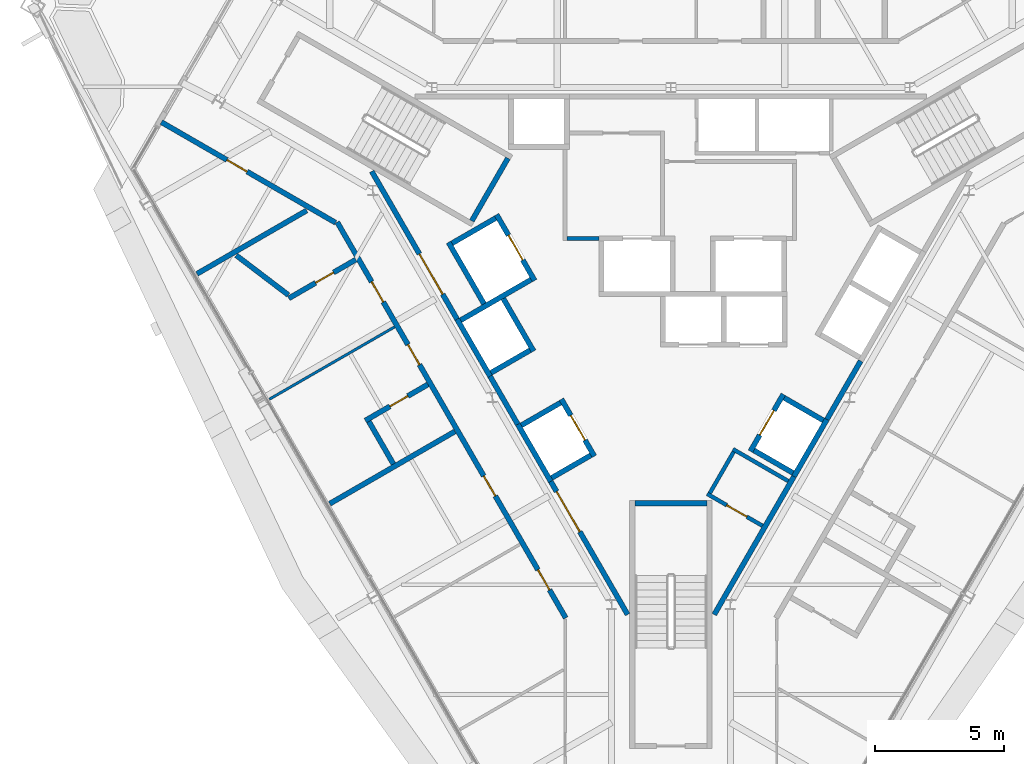
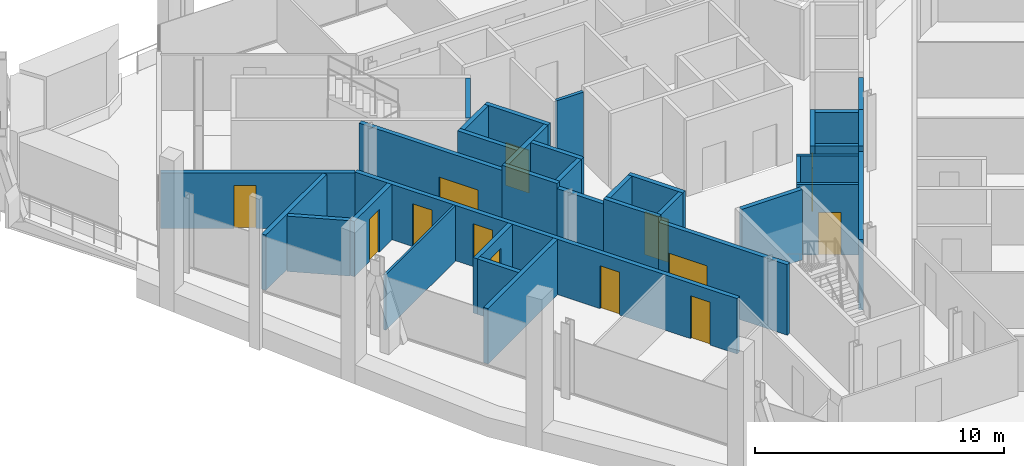
# One storey, part 9 of 14: 35 walls, 13 doors, 13 openings.
"""IFC4 building model written with IfcOpenShell, lengths in metres."""

from ifc_helpers import new_model, si_unit, direction, frame, frame_2d, origin, place, context, subcontext, project, spatial, rectangle, extrude, material, layer, layer_set, type_object, element, fill, save


model = new_model("IFC4")

# Units and contexts
model_context = context("Model", 3, precision=1e-05, world=origin(), true_north=direction((0.0, 1.0)))
body_context = subcontext(model_context, "Body", "Model", "MODEL_VIEW")
ifc_project = project(units=[si_unit("LENGTHUNIT", "METRE"), si_unit("AREAUNIT", "SQUARE_METRE"), si_unit("VOLUMEUNIT", "CUBIC_METRE"), si_unit("PLANEANGLEUNIT", "RADIAN"), si_unit("MASSUNIT", "GRAM", prefix="KILO")], contexts=[model_context])

# Site, building, storey
site_placement = place(None, origin())
site = spatial("IfcSite", under=ifc_project, at=site_placement, CompositionType="ELEMENT")
building_placement = place(site_placement, origin())
building = spatial("IfcBuilding", under=site, at=building_placement, Name="Verrane Prism Tower", CompositionType="ELEMENT")
storey_placement = place(building_placement, frame((0.0, 0.0, 228.60009765625)))
storey = spatial("IfcBuildingStorey", under=building, at=storey_placement, Name="L57", CompositionType="ELEMENT", Elevation=228.60009765625)

# Wall, opening, door
ifc_material_1 = material(Name="Gypsum board partition", Category="other")
ifc_layer_1 = layer(ifc_material_1, 0.199951171875)
ifc_layer_set_1 = layer_set([ifc_layer_1], Name="CW-200 core boundary wall 2 h")
wall_type_1 = type_object("IfcWallType", Name="CW-200 core boundary wall 2 h", PredefinedType="PARTITIONING", material=ifc_layer_set_1)
wall_1_placement = place(storey_placement, frame((-11.590576171875, 4.7548828125, 0.0), z_axis=(0.0, 0.0, 1.0), x_axis=(0.500043977787, -0.866000011708, 0.0)))
wall_1 = element("IfcWall", 1, at=wall_1_placement, inside=storey, type_object=wall_type_1, Name="Core boundary wall CW3-001", PredefinedType="PARTITIONING", context=body_context, shape_type="SweptSolid", body=[
    extrude(rectangle(XDim=6.61669921875, YDim=0.199951171875, at=frame_2d((3.308349609375, 0.0))), origin(), (0.0, 0.0, 1.0), 3.449951171875),
])
opening_1_placement = place(wall_1_placement, frame((3.695068359375, 0.0, 0.0)))
opening_1 = element("IfcOpeningElement", 2, at=opening_1_placement, cuts=wall_1, Name="Opening D57510", PredefinedType="OPENING", context=body_context, shape_type="SweptSolid", body=[
    extrude(rectangle(XDim=1.800048828125, YDim=2.10009765625, at=frame_2d((0.89990234375, 1.050048828125))), frame((0.0, 0.10986328125, 0.0), z_axis=(0.0, -1.0, 0.0), x_axis=(1.0, 0.0, 0.0)), (0.0, 0.0, 1.0), 0.219970703125),
])
ifc_material_2 = material(Name="Timber veneered door leaf", Category="wood")
door_type_1 = type_object("IfcDoorType", Name="DR-1800x2100 FD60 double leaf lift lobby", OperationType="NOTDEFINED", PredefinedType="DOOR", material=ifc_material_2)
door_1_placement = place(opening_1_placement, origin())
door_1 = element("IfcDoor", 3, at=door_1_placement, inside=storey, type_object=door_type_1, Name="Lift lobby door D57510", OperationType="DOUBLE_DOOR_SINGLE_SWING", OverallHeight=2.10009765625, OverallWidth=1.800048828125, PredefinedType="DOOR", context=body_context, shape_type="SweptSolid", body=[
    extrude(rectangle(XDim=1.800048828125, YDim=2.10009765625, at=frame_2d((0.89990234375, 1.050048828125))), frame((0.0, 0.02490234375, 0.0), z_axis=(0.0, -1.0, 0.0), x_axis=(1.0, 0.0, 0.0)), (0.0, 0.0, 1.0), 0.050048828125),
])
fill(opening_1, door_1)

# Wall
wall_2_placement = place(storey_placement, frame((-7.0048828125, -3.18701171875, 0.0), z_axis=(0.0, 0.0, 1.0), x_axis=(0.499689606989, -0.866204535123, 0.0)))
element("IfcWall", 4, at=wall_2_placement, inside=storey, type_object=wall_type_1, Name="Core boundary wall CW3-003", PredefinedType="PARTITIONING", context=body_context, shape_type="SweptSolid", body=[
    extrude(rectangle(XDim=2.144775390625, YDim=0.199951171875, at=frame_2d((1.072265625, 0.0))), origin(), (0.0, 0.0, 1.0), 3.449951171875),
])

# Wall, opening, door
wall_3_placement = place(storey_placement, frame((-4.655029296875, -7.257080078125, 0.0), z_axis=(0.0, 0.0, 1.0), x_axis=(0.499966124405, -0.866044960985, 0.0)))
wall_3 = element("IfcWall", 5, at=wall_3_placement, inside=storey, type_object=wall_type_1, Name="Core boundary wall CW3-004", PredefinedType="PARTITIONING", context=body_context, shape_type="SweptSolid", body=[
    extrude(rectangle(XDim=5.95556640625, YDim=0.199951171875, at=frame_2d((2.977783203125, 0.0))), origin(), (0.0, 0.0, 1.0), 3.449951171875),
])
opening_2_placement = place(wall_3_placement, frame((0.449951171875, 0.0, 0.0)))
opening_2 = element("IfcOpeningElement", 6, at=opening_2_placement, cuts=wall_3, Name="Opening D57511", PredefinedType="OPENING", context=body_context, shape_type="SweptSolid", body=[
    extrude(rectangle(XDim=1.800048828125, YDim=2.10009765625, at=frame_2d((0.89990234375, 1.050048828125))), frame((0.0, 0.10986328125, 0.0), z_axis=(0.0, -1.0, 0.0), x_axis=(1.0, 0.0, 0.0)), (0.0, 0.0, 1.0), 0.219970703125),
])
door_2_placement = place(opening_2_placement, origin())
door_2 = element("IfcDoor", 7, at=door_2_placement, inside=storey, type_object=door_type_1, Name="Lift lobby door D57511", OperationType="DOUBLE_DOOR_SINGLE_SWING", OverallHeight=2.10009765625, OverallWidth=1.800048828125, PredefinedType="DOOR", context=body_context, shape_type="SweptSolid", body=[
    extrude(rectangle(XDim=1.800048828125, YDim=2.10009765625, at=frame_2d((0.89990234375, 1.050048828125))), frame((0.0, 0.02490234375, 0.0), z_axis=(0.0, -1.0, 0.0), x_axis=(1.0, 0.0, 0.0)), (0.0, 0.0, 1.0), 0.050048828125),
])
fill(opening_2, door_2)

# Walls
wall_4_placement = place(storey_placement, frame((1.677490234375, -12.414794921875, 0.0), z_axis=(0.0, 0.0, 1.0), x_axis=(0.500054337157, 0.865994029939, 0.0)))
element("IfcWall", 8, at=wall_4_placement, inside=storey, type_object=wall_type_1, Name="Core boundary wall CW3-006", PredefinedType="PARTITIONING", context=body_context, shape_type="SweptSolid", body=[
    extrude(rectangle(XDim=6.176513671875, YDim=0.199951171875, at=frame_2d((3.08837890625, 0.0))), origin(), (0.0, 0.0, 1.0), 3.449951171875),
])
wall_5_placement = place(storey_placement, frame((6.0419921875, -4.85498046875, 0.0), z_axis=(0.0, 0.0, 1.0), x_axis=(0.500252727967, 0.865879442048, 0.0)))
element("IfcWall", 9, at=wall_5_placement, inside=storey, type_object=wall_type_1, Name="Core boundary wall CW3-007", PredefinedType="PARTITIONING", context=body_context, shape_type="SweptSolid", body=[
    extrude(rectangle(XDim=2.616943359375, YDim=0.199951171875, at=frame_2d((1.30859375, 0.0))), origin(), (0.0, 0.0, 1.0), 3.449951171875),
])
ifc_material_3 = material(Name="Concrete C40/50", Category="concrete")
ifc_layer_2 = layer(ifc_material_3, 0.199951171875)
ifc_layer_set_2 = layer_set([ifc_layer_2], Name="CW-200 stair core wall concrete C40/50 3 h")
wall_type_2 = type_object("IfcWallType", Name="CW-200 stair core wall concrete C40/50 3 h", PredefinedType="PARTITIONING", material=ifc_layer_set_2)
wall_6_placement = place(storey_placement, frame((-6.314697265625, 5.262451171875, 0.0), z_axis=(0.0, 0.0, 1.0), x_axis=(-0.500049511043, -0.865996816683, 0.0)))
element("IfcWall", 10, at=wall_6_placement, inside=storey, type_object=wall_type_2, Name="Stair 2 enclosure wall", PredefinedType="PARTITIONING", context=body_context, shape_type="SweptSolid", body=[
    extrude(rectangle(XDim=2.800048828125, YDim=0.199951171875, at=frame_2d((1.39990234375, 0.0))), origin(), (0.0, 0.0, 1.0), 3.449951171875),
])
wall_7_placement = place(storey_placement, frame((-1.39990234375, -8.10009765625, 0.0), z_axis=(0.0, 0.0, 1.0), x_axis=(1.0, 0.0, 0.0)))
element("IfcWall", 11, at=wall_7_placement, inside=storey, type_object=wall_type_2, Name="Stair 3 enclosure wall", PredefinedType="PARTITIONING", context=body_context, shape_type="SweptSolid", body=[
    extrude(rectangle(XDim=2.7998046875, YDim=0.199951171875, at=frame_2d((1.39990234375, 0.0))), origin(), (0.0, 0.0, 1.0), 3.449951171875),
])
ifc_material_4 = material(Name="Gypsum board shaft wall assembly", Category="other")
ifc_layer_3 = layer(ifc_material_4, 0.199951171875)
ifc_layer_set_3 = layer_set([ifc_layer_3], Name="HW-200 lift shaft wall 2 h")
wall_type_3 = type_object("IfcWallType", Name="HW-200 lift shaft wall 2 h", PredefinedType="PARTITIONING", material=ifc_layer_set_3)
for number, where, z_axis, x_axis, name in (
    (12, (-4.61962890625, -7.118408203125, 0.0), (0.0, 0.0, 1.0), (0.866036909293, 0.499980071345, 0.0), "Lift shaft wall"),
    (13, (-5.794677734375, -5.083251953125, 0.0), (0.0, 0.0, 1.0), (0.866036909293, 0.499980071345, 0.0), "Lift shaft wall"),
    (14, (-6.9697265625, -3.048095703125, 0.0), (0.0, 0.0, 1.0), (0.866036909293, 0.499980071345, 0.0), "Lift shaft wall"),
):
    element("IfcWall", number, at=place(storey_placement, frame(where, z_axis=z_axis, x_axis=x_axis)), inside=storey, type_object=wall_type_3, Name=name, PredefinedType="PARTITIONING", context=body_context, shape_type="SweptSolid", body=[
        extrude(rectangle(XDim=1.75, YDim=0.199951171875, at=frame_2d((0.875, 0.0))), origin(), (0.0, 0.0, 1.0), 3.699951171875),
    ])
wall_8_placement = place(storey_placement, frame((-8.14453125, -1.012939453125, 0.0), z_axis=(0.0, 0.0, 1.0), x_axis=(0.866016494683, 0.500015430699, 0.0)))
element("IfcWall", 15, at=wall_8_placement, inside=storey, type_object=wall_type_3, Name="Lift shaft wall", PredefinedType="PARTITIONING", context=body_context, shape_type="SweptSolid", body=[
    extrude(rectangle(XDim=3.14990234375, YDim=0.199951171875, at=frame_2d((1.574951171875, 0.0))), origin(), (0.0, 0.0, 1.0), 3.699951171875),
])
wall_9_placement = place(storey_placement, frame((-8.48046875, 1.968505859375, 0.0), z_axis=(0.0, 0.0, 1.0), x_axis=(0.866000020948, 0.500043961785, 0.0)))
element("IfcWall", 16, at=wall_9_placement, inside=storey, type_object=wall_type_3, Name="Lift shaft wall", PredefinedType="PARTITIONING", context=body_context, shape_type="SweptSolid", body=[
    extrude(rectangle(XDim=1.949951171875, YDim=0.199951171875, at=frame_2d((0.97509765625, 0.0))), origin(), (0.0, 0.0, 1.0), 3.699951171875),
])
wall_10_placement = place(storey_placement, frame((4.766357421875, -7.064697265625, 0.0), z_axis=(0.0, 0.0, 1.0), x_axis=(0.499948979701, 0.866054858364, 0.0)))
element("IfcWall", 17, at=wall_10_placement, inside=storey, type_object=wall_type_3, Name="Lift shaft wall", PredefinedType="PARTITIONING", context=body_context, shape_type="SweptSolid", body=[
    extrude(rectangle(XDim=2.550048828125, YDim=0.199951171875, at=frame_2d((1.27490234375, 0.0))), origin(), (0.0, 0.0, 1.0), 3.699951171875),
])

# Wall, opening, door
wall_11_placement = place(storey_placement, frame((3.077392578125, -6.089599609375, 0.0), z_axis=(0.0, 0.0, 1.0), x_axis=(0.500062241894, 0.865989465428, 0.0)))
wall_11 = element("IfcWall", 18, at=wall_11_placement, inside=storey, type_object=wall_type_3, Name="Lift shaft wall", PredefinedType="PARTITIONING", context=body_context, shape_type="SweptSolid", body=[
    extrude(rectangle(XDim=2.550048828125, YDim=0.199951171875, at=frame_2d((1.27490234375, 0.0))), origin(), (0.0, 0.0, 1.0), 3.699951171875),
])
opening_3_placement = place(wall_11_placement, frame((0.72509765625, 0.0, 0.0)))
opening_3 = element("IfcOpeningElement", 19, at=opening_3_placement, cuts=wall_11, Name="Opening D57505", PredefinedType="OPENING", context=body_context, shape_type="SweptSolid", body=[
    extrude(rectangle(XDim=1.10009765625, YDim=2.10009765625, at=frame_2d((0.550048828125, 1.050048828125))), frame((0.0, 0.10986328125, 0.0), z_axis=(0.0, -1.0, 0.0), x_axis=(1.0, 0.0, 0.0)), (0.0, 0.0, 1.0), 0.219970703125),
])
ifc_material_5 = material(Name="Stainless steel sliding landing door", Category="steel")
door_type_2 = type_object("IfcDoorType", Name="LD-1100x2100 lift landing door FD90 sliding", OperationType="NOTDEFINED", PredefinedType="DOOR", material=ifc_material_5)
door_3_placement = place(opening_3_placement, origin())
door_3 = element("IfcDoor", 20, at=door_3_placement, inside=storey, type_object=door_type_2, Name="Bank B lift 3 landing door", OperationType="SLIDING_TO_LEFT", OverallHeight=2.10009765625, OverallWidth=1.10009765625, PredefinedType="DOOR", context=body_context, shape_type="SweptSolid", body=[
    extrude(rectangle(XDim=1.10009765625, YDim=2.10009765625, at=frame_2d((0.550048828125, 1.050048828125))), frame((0.0, 0.02490234375, 0.0), z_axis=(0.0, -1.0, 0.0), x_axis=(1.0, 0.0, 0.0)), (0.0, 0.0, 1.0), 0.050048828125),
])
fill(opening_3, door_3)

wall_12_placement = place(storey_placement, frame((-5.280029296875, 0.525390625, 0.0), z_axis=(0.0, 0.0, 1.0), x_axis=(-0.500037662692, 0.866003658127, 0.0)))
wall_12 = element("IfcWall", 21, at=wall_12_placement, inside=storey, type_object=wall_type_3, Name="Lift shaft wall", PredefinedType="PARTITIONING", context=body_context, shape_type="SweptSolid", body=[
    extrude(rectangle(XDim=2.949951171875, YDim=0.199951171875, at=frame_2d((1.47509765625, 0.0))), origin(), (0.0, 0.0, 1.0), 3.699951171875),
])
opening_4_placement = place(wall_12_placement, frame((0.925048828125, 0.0, 0.0)))
opening_4 = element("IfcOpeningElement", 22, at=opening_4_placement, cuts=wall_12, Name="Opening D57509", PredefinedType="OPENING", context=body_context, shape_type="SweptSolid", body=[
    extrude(rectangle(XDim=1.10009765625, YDim=2.10009765625, at=frame_2d((0.550048828125, 1.050048828125))), frame((0.0, 0.10986328125, 0.0), z_axis=(0.0, -1.0, 0.0), x_axis=(1.0, 0.0, 0.0)), (0.0, 0.0, 1.0), 0.219970703125),
])
door_4_placement = place(opening_4_placement, origin())
door_4 = element("IfcDoor", 23, at=door_4_placement, inside=storey, type_object=door_type_2, Name="Service lift 1 landing door", OperationType="SLIDING_TO_LEFT", OverallHeight=2.10009765625, OverallWidth=1.10009765625, PredefinedType="DOOR", context=body_context, shape_type="SweptSolid", body=[
    extrude(rectangle(XDim=1.10009765625, YDim=2.10009765625, at=frame_2d((0.550048828125, 1.050048828125))), frame((0.0, 0.02490234375, 0.0), z_axis=(0.0, -1.0, 0.0), x_axis=(1.0, 0.0, 0.0)), (0.0, 0.0, 1.0), 0.050048828125),
])
fill(opening_4, door_4)

wall_13_placement = place(storey_placement, frame((-2.967529296875, -6.280029296875, 0.0), z_axis=(0.0, 0.0, 1.0), x_axis=(-0.499990435942, 0.866030925526, 0.0)))
wall_13 = element("IfcWall", 24, at=wall_13_placement, inside=storey, type_object=wall_type_3, Name="Lift shaft wall", PredefinedType="PARTITIONING", context=body_context, shape_type="SweptSolid", body=[
    extrude(rectangle(XDim=2.5498046875, YDim=0.199951171875, at=frame_2d((1.27490234375, 0.0))), origin(), (0.0, 0.0, 1.0), 3.699951171875),
])
opening_5_placement = place(wall_13_placement, frame((0.72509765625, 0.0, 0.0)))
opening_5 = element("IfcOpeningElement", 25, at=opening_5_placement, cuts=wall_13, Name="Opening D57506", PredefinedType="OPENING", context=body_context, shape_type="SweptSolid", body=[
    extrude(rectangle(XDim=1.10009765625, YDim=2.10009765625, at=frame_2d((0.550048828125, 1.050048828125))), frame((0.0, 0.10986328125, 0.0), z_axis=(0.0, -1.0, 0.0), x_axis=(1.0, 0.0, 0.0)), (0.0, 0.0, 1.0), 0.219970703125),
])
door_5_placement = place(opening_5_placement, origin())
door_5 = element("IfcDoor", 26, at=door_5_placement, inside=storey, type_object=door_type_2, Name="Bank B lift 4 landing door", OperationType="SLIDING_TO_RIGHT", OverallHeight=2.10009765625, OverallWidth=1.10009765625, PredefinedType="DOOR", context=body_context, shape_type="SweptSolid", body=[
    extrude(rectangle(XDim=1.10009765625, YDim=2.10009765625, at=frame_2d((0.550048828125, 1.050048828125))), frame((0.0, 0.02490234375, 0.0), z_axis=(0.0, -1.0, 0.0), x_axis=(1.0, 0.0, 0.0)), (0.0, 0.0, 1.0), 0.050048828125),
])
fill(opening_5, door_5)

# Walls
wall_14_placement = place(storey_placement, frame((-5.317626953125, -2.209716796875, 0.0), z_axis=(0.0, 0.0, 1.0), x_axis=(-0.499938297808, 0.866061024631, 0.0)))
element("IfcWall", 27, at=wall_14_placement, inside=storey, type_object=wall_type_3, Name="Lift shaft wall", PredefinedType="PARTITIONING", context=body_context, shape_type="SweptSolid", body=[
    extrude(rectangle(XDim=2.349853515625, YDim=0.199951171875, at=frame_2d((1.1748046875, 0.0))), origin(), (0.0, 0.0, 1.0), 3.699951171875),
])
wall_15_placement = place(storey_placement, frame((-7.241943359375, -0.37646484375, 0.0), z_axis=(0.0, 0.0, 1.0), x_axis=(-0.499996545922, 0.866027397988, 0.0)))
element("IfcWall", 28, at=wall_15_placement, inside=storey, type_object=wall_type_3, Name="Lift shaft wall", PredefinedType="PARTITIONING", context=body_context, shape_type="SweptSolid", body=[
    extrude(rectangle(XDim=2.75, YDim=0.199951171875, at=frame_2d((1.375, 0.0))), origin(), (0.0, 0.0, 1.0), 3.699951171875),
])
for number, where, z_axis, x_axis, name in (
    (29, (-4.65625, -7.255126953125, 0.0), (0.0, 0.0, 1.0), (-0.499990435942, 0.866030925526, 0.0), "Lift shaft wall"),
    (30, (-7.00634765625, -3.184814453125, 0.0), (0.0, 0.0, 1.0), (-0.499990435942, 0.866030925526, 0.0), "Lift shaft wall"),
):
    element("IfcWall", number, at=place(storey_placement, frame(where, z_axis=z_axis, x_axis=x_axis)), inside=storey, type_object=wall_type_3, Name=name, PredefinedType="PARTITIONING", context=body_context, shape_type="SweptSolid", body=[
        extrude(rectangle(XDim=2.5498046875, YDim=0.199951171875, at=frame_2d((1.27490234375, 0.0))), origin(), (0.0, 0.0, 1.0), 3.699951171875),
    ])
wall_16_placement = place(storey_placement, frame((5.904541015625, -4.892822265625, 0.0), z_axis=(0.0, 0.0, 1.0), x_axis=(-0.866002029911, 0.500040482552, 0.0)))
element("IfcWall", 31, at=wall_16_placement, inside=storey, type_object=wall_type_3, Name="Lift shaft wall", PredefinedType="PARTITIONING", context=body_context, shape_type="SweptSolid", body=[
    extrude(rectangle(XDim=1.749755859375, YDim=0.199951171875, at=frame_2d((0.875, 0.0))), origin(), (0.0, 0.0, 1.0), 3.699951171875),
])
wall_17_placement = place(storey_placement, frame((4.729736328125, -6.927978515625, 0.0), z_axis=(0.0, 0.0, 1.0), x_axis=(-0.866036909293, 0.499980071345, 0.0)))
element("IfcWall", 32, at=wall_17_placement, inside=storey, type_object=wall_type_3, Name="Lift shaft wall", PredefinedType="PARTITIONING", context=body_context, shape_type="SweptSolid", body=[
    extrude(rectangle(XDim=1.75, YDim=0.199951171875, at=frame_2d((0.875, 0.0))), origin(), (0.0, 0.0, 1.0), 3.699951171875),
])
ifc_material_6 = material(Name="Gypsum board partition", Category="other")
ifc_layer_4 = layer(ifc_material_6, 0.14990234375)
ifc_layer_set_4 = layer_set([ifc_layer_4], Name="LF-150 firefighting lobby wall 1 h")
wall_type_4 = type_object("IfcWallType", Name="LF-150 firefighting lobby wall 1 h", PredefinedType="PARTITIONING", material=ifc_layer_set_4)
wall_18_placement = place(storey_placement, frame((-4.02490234375, 2.159912109375, 0.0), z_axis=(0.0, 0.0, 1.0), x_axis=(1.0, 0.0, 0.0)))
element("IfcWall", 33, at=wall_18_placement, inside=storey, type_object=wall_type_4, Name="Firefighting lobby wall LF1-002", PredefinedType="PARTITIONING", context=body_context, shape_type="SweptSolid", body=[
    extrude(rectangle(XDim=1.23779296875, YDim=0.14990234375, at=frame_2d((0.618896484375, 0.0))), origin(), (0.0, 0.0, 1.0), 3.449951171875),
])
ifc_material_7 = material(Name="Gypsum board partition", Category="other")
ifc_layer_5 = layer(ifc_material_7, 0.10009765625)
ifc_layer_set_5 = layer_set([ifc_layer_5], Name="PW-100 room partition")
wall_type_5 = type_object("IfcWallType", Name="PW-100 room partition", PredefinedType="PARTITIONING", material=ifc_layer_set_5)
wall_19_placement = place(storey_placement, frame((-15.5546875, -4.07080078125, 0.0), z_axis=(0.0, 0.0, 1.0), x_axis=(0.866083225238, 0.499899836928, 0.0)))
element("IfcWall", 34, at=wall_19_placement, inside=storey, type_object=wall_type_5, Name="Room partition 005", PredefinedType="PARTITIONING", context=body_context, shape_type="SweptSolid", body=[
    extrude(rectangle(XDim=5.599853515625, YDim=0.10009765625, at=frame_2d((2.7998046875, 0.0))), origin(), (0.0, 0.0, 1.0), 2.712890625),
])

# Wall, opening, door
ifc_material_8 = material(Name="Gypsum board partition", Category="other")
ifc_layer_6 = layer(ifc_material_8, 0.199951171875)
ifc_layer_set_6 = layer_set([ifc_layer_6], Name="PW-200 plumbing wall")
wall_type_6 = type_object("IfcWallType", Name="PW-200 plumbing wall", PredefinedType="PARTITIONING", material=ifc_layer_set_6)
wall_20_placement = place(storey_placement, frame((-12.994873046875, 2.76953125, 0.0), z_axis=(0.0, 0.0, 1.0), x_axis=(-0.866060835767, 0.499938624983, 0.0)))
wall_20 = element("IfcWall", 35, at=wall_20_placement, inside=storey, type_object=wall_type_6, Name="Plumbing wall 001", PredefinedType="PARTITIONING", context=body_context, shape_type="SweptSolid", body=[
    extrude(rectangle(XDim=7.78857421875, YDim=0.199951171875, at=frame_2d((3.894287109375, 0.0))), origin(), (0.0, 0.0, 1.0), 2.712890625),
])
opening_6_placement = place(wall_20_placement, frame((3.953857421875, 0.0, 0.0)))
opening_6 = element("IfcOpeningElement", 36, at=opening_6_placement, cuts=wall_20, Name="Opening D57010", PredefinedType="OPENING", context=body_context, shape_type="SweptSolid", body=[
    extrude(rectangle(XDim=0.89990234375, YDim=2.10009765625, at=frame_2d((0.449951171875, 1.050048828125))), frame((0.0, 0.10986328125, 0.0), z_axis=(0.0, -1.0, 0.0), x_axis=(1.0, 0.0, 0.0)), (0.0, 0.0, 1.0), 0.219970703125),
])
ifc_material_9 = material(Name="Timber veneered door leaf", Category="wood")
door_type_3 = type_object("IfcDoorType", Name="DR-900x2100 single leaf unit", OperationType="NOTDEFINED", PredefinedType="DOOR", material=ifc_material_9)
door_6_placement = place(opening_6_placement, origin())
door_6 = element("IfcDoor", 37, at=door_6_placement, inside=storey, type_object=door_type_3, Name="Kitchen door", OperationType="SINGLE_SWING_LEFT", OverallHeight=2.10009765625, OverallWidth=0.89990234375, PredefinedType="DOOR", context=body_context, shape_type="SweptSolid", body=[
    extrude(rectangle(XDim=0.89990234375, YDim=2.10009765625, at=frame_2d((0.449951171875, 1.050048828125))), frame((0.0, 0.02490234375, 0.0), z_axis=(0.0, -1.0, 0.0), x_axis=(1.0, 0.0, 0.0)), (0.0, 0.0, 1.0), 0.050048828125),
])
fill(opening_6, door_6)

# Walls
wall_21_placement = place(storey_placement, frame((-18.359130859375, 0.78662109375, 0.0), z_axis=(0.0, 0.0, 1.0), x_axis=(0.86596515875, 0.500104332946, 0.0)))
element("IfcWall", 38, at=wall_21_placement, inside=storey, type_object=wall_type_6, Name="Plumbing wall 002", PredefinedType="PARTITIONING", context=body_context, shape_type="SweptSolid", body=[
    extrude(rectangle(XDim=4.90673828125, YDim=0.199951171875, at=frame_2d((2.453369140625, 0.0))), origin(), (0.0, 0.0, 1.0), 2.712890625),
])
wall_22_placement = place(storey_placement, frame((-16.84033203125, 1.5029296875, 0.0), z_axis=(0.0, 0.0, 1.0), x_axis=(0.79576722268, -0.605602615012, 0.0)))
element("IfcWall", 39, at=wall_22_placement, inside=storey, type_object=wall_type_6, Name="Plumbing wall 003", PredefinedType="PARTITIONING", context=body_context, shape_type="SweptSolid", body=[
    extrude(rectangle(XDim=2.5380859375, YDim=0.199951171875, at=frame_2d((1.26904296875, 0.0))), origin(), (0.0, 0.0, 1.0), 2.712890625),
])

# Wall, opening, door
wall_23_placement = place(storey_placement, frame((-14.8037109375, -0.1630859375, 0.0), z_axis=(0.0, 0.0, 1.0), x_axis=(0.866031096941, 0.499990139034, 0.0)))
wall_23 = element("IfcWall", 40, at=wall_23_placement, inside=storey, type_object=wall_type_6, Name="Plumbing wall 006", PredefinedType="PARTITIONING", context=body_context, shape_type="SweptSolid", body=[
    extrude(rectangle(XDim=3.0, YDim=0.199951171875, at=frame_2d((1.5, 0.0))), origin(), (0.0, 0.0, 1.0), 2.712890625),
])
opening_7_placement = place(wall_23_placement, frame((1.199951171875, 0.0, 0.0)))
opening_7 = element("IfcOpeningElement", 41, at=opening_7_placement, cuts=wall_23, Name="Opening D57012", PredefinedType="OPENING", context=body_context, shape_type="SweptSolid", body=[
    extrude(rectangle(XDim=0.800048828125, YDim=2.10009765625, at=frame_2d((0.39990234375, 1.050048828125))), frame((0.0, 0.10986328125, 0.0), z_axis=(0.0, -1.0, 0.0), x_axis=(1.0, 0.0, 0.0)), (0.0, 0.0, 1.0), 0.219970703125),
])
ifc_material_10 = material(Name="Timber veneered door leaf", Category="wood")
door_type_4 = type_object("IfcDoorType", Name="DR-800x2100 single leaf bath", OperationType="NOTDEFINED", PredefinedType="DOOR", material=ifc_material_10)
door_7_placement = place(opening_7_placement, origin())
door_7 = element("IfcDoor", 42, at=door_7_placement, inside=storey, type_object=door_type_4, Name="Master Bathroom door", OperationType="SINGLE_SWING_RIGHT", OverallHeight=2.10009765625, OverallWidth=0.800048828125, PredefinedType="DOOR", context=body_context, shape_type="SweptSolid", body=[
    extrude(rectangle(XDim=0.800048828125, YDim=2.10009765625, at=frame_2d((0.39990234375, 1.050048828125))), frame((0.0, 0.02490234375, 0.0), z_axis=(0.0, -1.0, 0.0), x_axis=(1.0, 0.0, 0.0)), (0.0, 0.0, 1.0), 0.050048828125),
])
fill(opening_7, door_7)

# Wall
wall_24_placement = place(storey_placement, frame((-13.216796875, -8.119873046875, 0.0), z_axis=(0.0, 0.0, 1.0), x_axis=(0.865964107429, 0.500106153376, 0.0)))
element("IfcWall", 43, at=wall_24_placement, inside=storey, type_object=wall_type_6, Name="Plumbing wall 007", PredefinedType="PARTITIONING", context=body_context, shape_type="SweptSolid", body=[
    extrude(rectangle(XDim=5.599365234375, YDim=0.199951171875, at=frame_2d((2.7998046875, 0.0))), origin(), (0.0, 0.0, 1.0), 2.712890625),
])

# Wall, openings, doors
wall_25_placement = place(storey_placement, frame((-4.074951171875, -12.54541015625, 0.0), z_axis=(0.0, 0.0, 1.0), x_axis=(-0.499997769292, 0.86602669168, 0.0)))
wall_25 = element("IfcWall", 44, at=wall_25_placement, inside=storey, type_object=wall_type_6, Name="Plumbing wall 008", PredefinedType="PARTITIONING", context=body_context, shape_type="SweptSolid", body=[
    extrude(rectangle(XDim=17.7060546875, YDim=0.199951171875, at=frame_2d((8.85302734375, 0.0))), origin(), (0.0, 0.0, 1.0), 2.712890625),
])
opening_8_placement = place(wall_25_placement, frame((14.137939453125, 0.0, 0.0)))
opening_8 = element("IfcOpeningElement", 45, at=opening_8_placement, cuts=wall_25, Name="Opening D57011", PredefinedType="OPENING", context=body_context, shape_type="SweptSolid", body=[
    extrude(rectangle(XDim=0.89990234375, YDim=2.10009765625, at=frame_2d((0.449951171875, 1.050048828125))), frame((0.0, 0.10986328125, 0.0), z_axis=(0.0, -1.0, 0.0), x_axis=(1.0, 0.0, 0.0)), (0.0, 0.0, 1.0), 0.219970703125),
])
opening_9_placement = place(wall_25_placement, frame((11.328125, 0.0, 0.0)))
opening_9 = element("IfcOpeningElement", 46, at=opening_9_placement, cuts=wall_25, Name="Opening D57013", PredefinedType="OPENING", context=body_context, shape_type="SweptSolid", body=[
    extrude(rectangle(XDim=0.89990234375, YDim=2.10009765625, at=frame_2d((0.449951171875, 1.050048828125))), frame((0.0, 0.10986328125, 0.0), z_axis=(0.0, -1.0, 0.0), x_axis=(1.0, 0.0, 0.0)), (0.0, 0.0, 1.0), 0.219970703125),
])
opening_10_placement = place(wall_25_placement, frame((5.4541015625, 0.0, 0.0)))
opening_10 = element("IfcOpeningElement", 47, at=opening_10_placement, cuts=wall_25, Name="Opening D57015", PredefinedType="OPENING", context=body_context, shape_type="SweptSolid", body=[
    extrude(rectangle(XDim=0.89990234375, YDim=2.10009765625, at=frame_2d((0.449951171875, 1.050048828125))), frame((0.0, 0.10986328125, 0.0), z_axis=(0.0, -1.0, 0.0), x_axis=(1.0, 0.0, 0.0)), (0.0, 0.0, 1.0), 0.219970703125),
])
opening_11_placement = place(wall_25_placement, frame((1.255126953125, 0.0, 0.0)))
opening_11 = element("IfcOpeningElement", 48, at=opening_11_placement, cuts=wall_25, Name="Opening D57016", PredefinedType="OPENING", context=body_context, shape_type="SweptSolid", body=[
    extrude(rectangle(XDim=0.89990234375, YDim=2.10009765625, at=frame_2d((0.449951171875, 1.050048828125))), frame((0.0, 0.10986328125, 0.0), z_axis=(0.0, -1.0, 0.0), x_axis=(1.0, 0.0, 0.0)), (0.0, 0.0, 1.0), 0.219970703125),
])
ifc_material_11 = material(Name="Timber veneered door leaf", Category="wood")
door_type_5 = type_object("IfcDoorType", Name="DR-900x2100 single leaf inner", OperationType="NOTDEFINED", PredefinedType="DOOR", material=ifc_material_11)
door_8_placement = place(opening_8_placement, origin())
door_8 = element("IfcDoor", 49, at=door_8_placement, inside=storey, type_object=door_type_5, Name="Master Bedroom door", OperationType="SINGLE_SWING_RIGHT", OverallHeight=2.10009765625, OverallWidth=0.89990234375, PredefinedType="DOOR", context=body_context, shape_type="SweptSolid", body=[
    extrude(rectangle(XDim=0.89990234375, YDim=2.10009765625, at=frame_2d((0.449951171875, 1.050048828125))), frame((0.0, 0.02490234375, 0.0), z_axis=(0.0, -1.0, 0.0), x_axis=(1.0, 0.0, 0.0)), (0.0, 0.0, 1.0), 0.050048828125),
])
fill(opening_8, door_8)
door_9_placement = place(opening_9_placement, origin())
door_9 = element("IfcDoor", 50, at=door_9_placement, inside=storey, type_object=door_type_5, Name="Bedroom door", OperationType="SINGLE_SWING_RIGHT", OverallHeight=2.10009765625, OverallWidth=0.89990234375, PredefinedType="DOOR", context=body_context, shape_type="SweptSolid", body=[
    extrude(rectangle(XDim=0.89990234375, YDim=2.10009765625, at=frame_2d((0.449951171875, 1.050048828125))), frame((0.0, 0.02490234375, 0.0), z_axis=(0.0, -1.0, 0.0), x_axis=(1.0, 0.0, 0.0)), (0.0, 0.0, 1.0), 0.050048828125),
])
fill(opening_9, door_9)
door_10_placement = place(opening_10_placement, origin())
door_10 = element("IfcDoor", 51, at=door_10_placement, inside=storey, type_object=door_type_3, Name="Study door", OperationType="SINGLE_SWING_RIGHT", OverallHeight=2.10009765625, OverallWidth=0.89990234375, PredefinedType="DOOR", context=body_context, shape_type="SweptSolid", body=[
    extrude(rectangle(XDim=0.89990234375, YDim=2.10009765625, at=frame_2d((0.449951171875, 1.050048828125))), frame((0.0, 0.02490234375, 0.0), z_axis=(0.0, -1.0, 0.0), x_axis=(1.0, 0.0, 0.0)), (0.0, 0.0, 1.0), 0.050048828125),
])
fill(opening_10, door_10)
door_11_placement = place(opening_11_placement, origin())
door_11 = element("IfcDoor", 52, at=door_11_placement, inside=storey, type_object=door_type_3, Name="Study door", OperationType="SINGLE_SWING_LEFT", OverallHeight=2.10009765625, OverallWidth=0.89990234375, PredefinedType="DOOR", context=body_context, shape_type="SweptSolid", body=[
    extrude(rectangle(XDim=0.89990234375, YDim=2.10009765625, at=frame_2d((0.449951171875, 1.050048828125))), frame((0.0, 0.02490234375, 0.0), z_axis=(0.0, -1.0, 0.0), x_axis=(1.0, 0.0, 0.0)), (0.0, 0.0, 1.0), 0.050048828125),
])
fill(opening_11, door_11)

# Wall
wall_26_placement = place(storey_placement, frame((-11.701904296875, -4.935546875, 0.0), z_axis=(0.0, 0.0, 1.0), x_axis=(0.500134112126, -0.865947960265, 0.0)))
element("IfcWall", 53, at=wall_26_placement, inside=storey, type_object=wall_type_6, Name="Plumbing wall 009", PredefinedType="PARTITIONING", context=body_context, shape_type="SweptSolid", body=[
    extrude(rectangle(XDim=1.8994140625, YDim=0.199951171875, at=frame_2d((0.94970703125, 0.0))), origin(), (0.0, 0.0, 1.0), 2.712890625),
])

# Wall, opening, door
wall_27_placement = place(storey_placement, frame((-9.41357421875, -3.4990234375, 0.0), z_axis=(0.0, 0.0, 1.0), x_axis=(-0.866056369097, -0.49994636267, 0.0)))
wall_27 = element("IfcWall", 54, at=wall_27_placement, inside=storey, type_object=wall_type_6, Name="Plumbing wall 010", PredefinedType="PARTITIONING", context=body_context, shape_type="SweptSolid", body=[
    extrude(rectangle(XDim=2.800048828125, YDim=0.199951171875, at=frame_2d((1.39990234375, 0.0))), origin(), (0.0, 0.0, 1.0), 2.712890625),
])
opening_12_placement = place(wall_27_placement, frame((0.900146484375, 0.0, 0.0)))
opening_12 = element("IfcOpeningElement", 55, at=opening_12_placement, cuts=wall_27, Name="Opening D57014", PredefinedType="OPENING", context=body_context, shape_type="SweptSolid", body=[
    extrude(rectangle(XDim=0.800048828125, YDim=2.10009765625, at=frame_2d((0.39990234375, 1.050048828125))), frame((0.0, 0.10986328125, 0.0), z_axis=(0.0, -1.0, 0.0), x_axis=(1.0, 0.0, 0.0)), (0.0, 0.0, 1.0), 0.219970703125),
])
door_12_placement = place(opening_12_placement, origin())
door_12 = element("IfcDoor", 56, at=door_12_placement, inside=storey, type_object=door_type_4, Name="Bathroom door", OperationType="SINGLE_SWING_LEFT", OverallHeight=2.10009765625, OverallWidth=0.800048828125, PredefinedType="DOOR", context=body_context, shape_type="SweptSolid", body=[
    extrude(rectangle(XDim=0.800048828125, YDim=2.10009765625, at=frame_2d((0.39990234375, 1.050048828125))), frame((0.0, 0.02490234375, 0.0), z_axis=(0.0, -1.0, 0.0), x_axis=(1.0, 0.0, 0.0)), (0.0, 0.0, 1.0), 0.050048828125),
])
fill(opening_12, door_12)

# Wall
ifc_material_12 = material(Name="Gypsum board partition", Category="other")
ifc_layer_7 = layer(ifc_material_12, 0.14990234375)
ifc_layer_set_7 = layer_set([ifc_layer_7], Name="RS-150 riser enclosure wall 1 h")
wall_type_7 = type_object("IfcWallType", Name="RS-150 riser enclosure wall 1 h", PredefinedType="PARTITIONING", material=ifc_layer_set_7)
wall_28_placement = place(storey_placement, frame((1.506591796875, -7.7109375, 0.0), z_axis=(0.0, 0.0, 1.0), x_axis=(0.49994333299, 0.866058118026, 0.0)))
element("IfcWall", 57, at=wall_28_placement, inside=storey, type_object=wall_type_7, Name="Riser wall RS3-003", PredefinedType="PARTITIONING", context=body_context, shape_type="SweptSolid", body=[
    extrude(rectangle(XDim=1.849853515625, YDim=0.14990234375, at=frame_2d((0.9248046875, 0.0))), origin(), (0.0, 0.0, 1.0), 3.449951171875),
])

# Wall, opening, door
wall_29_placement = place(storey_placement, frame((1.404052734375, -7.738525390625, 0.0), z_axis=(0.0, 0.0, 1.0), x_axis=(0.866006523861, -0.500032699561, 0.0)))
wall_29 = element("IfcWall", 58, at=wall_29_placement, inside=storey, type_object=wall_type_7, Name="Riser wall RS3-004", PredefinedType="PARTITIONING", context=body_context, shape_type="SweptSolid", body=[
    extrude(rectangle(XDim=2.474853515625, YDim=0.14990234375, at=frame_2d((1.2373046875, 0.0))), origin(), (0.0, 0.0, 1.0), 3.449951171875),
])
opening_13_placement = place(wall_29_placement, frame((0.875, 0.0, 0.0)))
opening_13 = element("IfcOpeningElement", 59, at=opening_13_placement, cuts=wall_29, Name="Opening D57516", PredefinedType="OPENING", context=body_context, shape_type="SweptSolid", body=[
    extrude(rectangle(XDim=0.89990234375, YDim=2.10009765625, at=frame_2d((0.449951171875, 1.050048828125))), frame((0.0, 0.0849609375, 0.0), z_axis=(0.0, -1.0, 0.0), x_axis=(1.0, 0.0, 0.0)), (0.0, 0.0, 1.0), 0.169921875),
])
ifc_material_13 = material(Name="Timber veneered door leaf", Category="wood")
door_type_6 = type_object("IfcDoorType", Name="DR-900x2100 FD60 single leaf store", OperationType="NOTDEFINED", PredefinedType="DOOR", material=ifc_material_13)
door_13_placement = place(opening_13_placement, origin())
door_13 = element("IfcDoor", 60, at=door_13_placement, inside=storey, type_object=door_type_6, Name="Room door D57516", OperationType="SINGLE_SWING_LEFT", OverallHeight=2.10009765625, OverallWidth=0.89990234375, PredefinedType="DOOR", context=body_context, shape_type="SweptSolid", body=[
    extrude(rectangle(XDim=0.89990234375, YDim=2.10009765625, at=frame_2d((0.449951171875, 1.050048828125))), frame((0.0, 0.02490234375, 0.0), z_axis=(0.0, -1.0, 0.0), x_axis=(1.0, 0.0, 0.0)), (0.0, 0.0, 1.0), 0.050048828125),
])
fill(opening_13, door_13)

# Wall
wall_30_placement = place(storey_placement, frame((2.404052734375, -6.006591796875, 0.0), z_axis=(0.0, 0.0, 1.0), x_axis=(0.86604923931, -0.499958713387, 0.0)))
element("IfcWall", 61, at=wall_30_placement, inside=storey, type_object=wall_type_7, Name="Riser wall RS3-005", PredefinedType="PARTITIONING", context=body_context, shape_type="SweptSolid", body=[
    extrude(rectangle(XDim=2.474853515625, YDim=0.14990234375, at=frame_2d((1.2373046875, 0.0))), origin(), (0.0, 0.0, 1.0), 3.449951171875),
])

save(model, "model.ifc")
